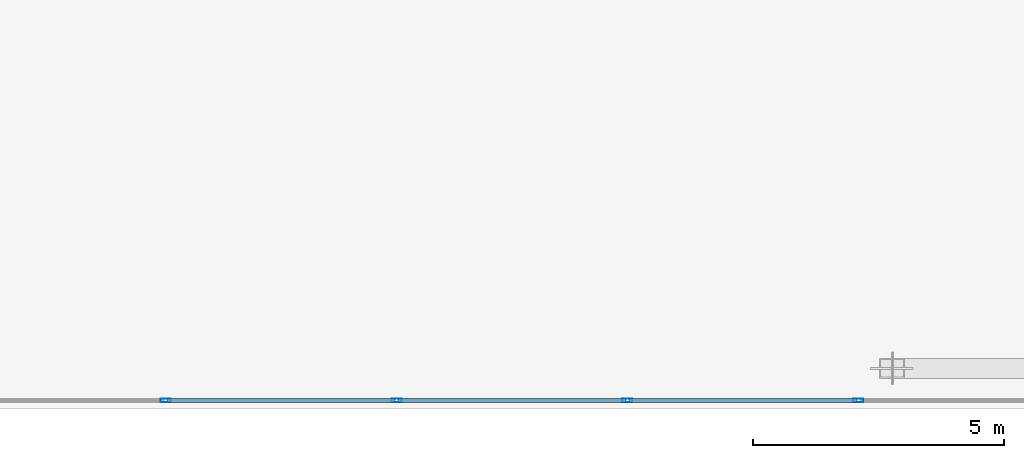
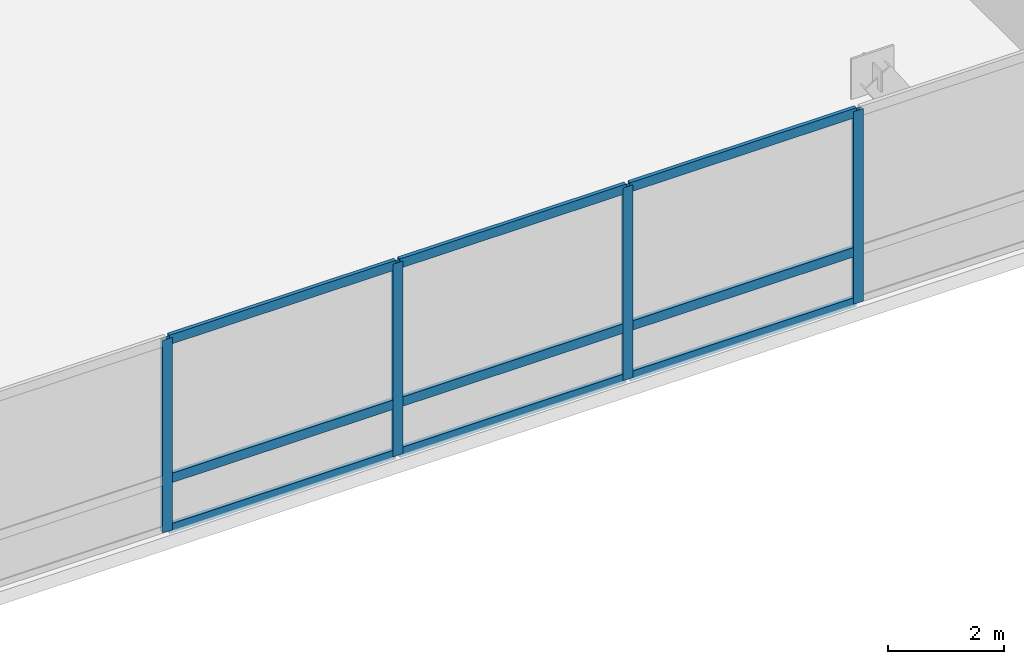
# One storey, part 12 of 40: 13 members, 1 element without a shape of its own.
"""IFC4 building model written with IfcOpenShell, lengths in metres."""

from ifc_helpers import new_model, si_unit, direction, frame, origin, origin_2d, place, context, subcontext, project, spatial, hollow_rectangle, extrude, material, layer, layer_set, material_profile, profile_set, type_object, element, aggregate, save


model = new_model("IFC4")

# Units and contexts
model_context = context("Model", 3, precision=1e-05, world=origin(), true_north=direction((0.0, 1.0)))
body_context = subcontext(model_context, "Body", "Model", "MODEL_VIEW")
ifc_project = project(units=[si_unit("LENGTHUNIT", "METRE"), si_unit("AREAUNIT", "SQUARE_METRE"), si_unit("VOLUMEUNIT", "CUBIC_METRE"), si_unit("PLANEANGLEUNIT", "RADIAN"), si_unit("MASSUNIT", "GRAM", prefix="KILO")], contexts=[model_context])

# Site, building, storey
site_placement = place(None, origin())
site = spatial("IfcSite", under=ifc_project, at=site_placement, CompositionType="ELEMENT")
building_placement = place(site_placement, origin())
building = spatial("IfcBuilding", under=site, at=building_placement, Name="Varnelok Gate Tower", CompositionType="ELEMENT")
storey_placement = place(building_placement, frame((0.0, 0.0, 5.39990234375)))
storey = spatial("IfcBuildingStorey", under=building, at=storey_placement, Name="L01", CompositionType="ELEMENT", Elevation=5.39990234375)

# Curtain wall, members
ifc_material = material(Name="Anodized Aluminum Alloy 6063-T6", Category="aluminium")
ifc_layer = layer(ifc_material, 0.179931640625)
ifc_layer_set = layer_set([ifc_layer], Name="Anodized Aluminum Alloy 6063-T6")
curtain_wall_type = type_object("IfcCurtainWallType", Name="CW1-ARCH-PORTAL", PredefinedType="USERDEFINED", material=ifc_layer_set)
curtain_wall_placement = place(storey_placement, origin())
curtain_wall = element("IfcCurtainWall", 1, at=curtain_wall_placement, inside=storey, type_object=curtain_wall_type, Name="L01 Giant Arch Portal Glazed Curtain Wall", ObjectType="UNITISED CURTAIN WALL", PredefinedType="USERDEFINED")
ifc_material_profile_1 = material_profile(ifc_material, hollow_rectangle(XDim=0.074951171875, YDim=0.199951171875, WallThickness=0.00390625, at=origin_2d()), Name="ALU200X75X4")
ifc_profile_set_1 = profile_set([ifc_material_profile_1], Name="Anodized Aluminum Alloy 6063-T6")
member_type_1 = type_object("IfcMemberType", Name="CW-MULL-200", PredefinedType="MULLION", material=ifc_profile_set_1)
member_1_placement = place(storey_placement, frame((48.39990234375, 0.159912109375, 0.0), z_axis=(0.0, 0.0, 1.0), x_axis=(0.0, -1.0, 0.0)))
member_1 = element("IfcMember", 2, at=member_1_placement, type_object=member_type_1, Name="CW1 mullion 2", PredefinedType="MULLION", context=body_context, shape_type="SweptSolid", body=[
    extrude(hollow_rectangle(XDim=0.074951171875, YDim=0.199951171875, WallThickness=0.00390625, at=origin_2d()), origin(), (0.0, 0.0, 1.0), 4.070068359375),
])
member_2_placement = place(storey_placement, frame((43.800048828125, 0.159912109375, 0.0), z_axis=(0.0, 0.0, 1.0), x_axis=(0.0, -1.0, 0.0)))
member_2 = element("IfcMember", 3, at=member_2_placement, type_object=member_type_1, Name="CW1 mullion 3", PredefinedType="MULLION", context=body_context, shape_type="SweptSolid", body=[
    extrude(hollow_rectangle(XDim=0.074951171875, YDim=0.199951171875, WallThickness=0.00390625, at=origin_2d()), origin(), (0.0, 0.0, 1.0), 4.070068359375),
])
member_3_placement = place(storey_placement, frame((39.199951171875, 0.159912109375, 0.0), z_axis=(0.0, 0.0, 1.0), x_axis=(0.0, -1.0, 0.0)))
member_3 = element("IfcMember", 4, at=member_3_placement, type_object=member_type_1, Name="CW1 mullion 4", PredefinedType="MULLION", context=body_context, shape_type="SweptSolid", body=[
    extrude(hollow_rectangle(XDim=0.074951171875, YDim=0.199951171875, WallThickness=0.00390625, at=origin_2d()), origin(), (0.0, 0.0, 1.0), 4.070068359375),
])
member_4_placement = place(storey_placement, frame((34.60009765625, 0.159912109375, 0.0), z_axis=(0.0, 0.0, 1.0), x_axis=(0.0, -1.0, 0.0)))
member_4 = element("IfcMember", 5, at=member_4_placement, type_object=member_type_1, Name="CW1 mullion 5", PredefinedType="MULLION", context=body_context, shape_type="SweptSolid", body=[
    extrude(hollow_rectangle(XDim=0.074951171875, YDim=0.199951171875, WallThickness=0.00390625, at=origin_2d()), origin(), (0.0, 0.0, 1.0), 4.070068359375),
])
ifc_material_profile_2 = material_profile(ifc_material, hollow_rectangle(XDim=0.074951171875, YDim=0.199951171875, WallThickness=0.00390625, at=origin_2d()), Name="ALU200X75X4")
ifc_profile_set_2 = profile_set([ifc_material_profile_2], Name="Anodized Aluminum Alloy 6063-T6")
member_type_2 = type_object("IfcMemberType", Name="CW-TRAN-200", PredefinedType="USERDEFINED", material=ifc_profile_set_2)
member_5_placement = place(storey_placement, frame((48.362548828125, 0.159912109375, 0.03759765625), z_axis=(-1.0, 0.0, 0.0), x_axis=(0.0, -1.0, 0.0)))
member_5 = element("IfcMember", 6, at=member_5_placement, type_object=member_type_2, Name="CW1 transom 2.1", ObjectType="TRANSOM", PredefinedType="USERDEFINED", context=body_context, shape_type="SweptSolid", body=[
    extrude(hollow_rectangle(XDim=0.074951171875, YDim=0.199951171875, WallThickness=0.00390625, at=origin_2d()), origin(), (0.0, 0.0, 1.0), 4.525146484375),
])
member_6_placement = place(storey_placement, frame((48.362548828125, 0.159912109375, 1.10009765625), z_axis=(-1.0, 0.0, 0.0), x_axis=(0.0, -1.0, 0.0)))
member_6 = element("IfcMember", 7, at=member_6_placement, type_object=member_type_2, Name="CW1 transom 2.2", ObjectType="TRANSOM", PredefinedType="USERDEFINED", context=body_context, shape_type="SweptSolid", body=[
    extrude(hollow_rectangle(XDim=0.074951171875, YDim=0.199951171875, WallThickness=0.00390625, at=origin_2d()), origin(), (0.0, 0.0, 1.0), 4.525146484375),
])
member_7_placement = place(storey_placement, frame((48.362548828125, 0.159912109375, 4.03271484375), z_axis=(-1.0, 0.0, 0.0), x_axis=(0.0, -1.0, 0.0)))
member_7 = element("IfcMember", 8, at=member_7_placement, type_object=member_type_2, Name="CW1 transom 2.3", ObjectType="TRANSOM", PredefinedType="USERDEFINED", context=body_context, shape_type="SweptSolid", body=[
    extrude(hollow_rectangle(XDim=0.074951171875, YDim=0.199951171875, WallThickness=0.00390625, at=origin_2d()), origin(), (0.0, 0.0, 1.0), 4.525146484375),
])
member_8_placement = place(storey_placement, frame((43.762451171875, 0.159912109375, 0.03759765625), z_axis=(-1.0, 0.0, 0.0), x_axis=(0.0, -1.0, 0.0)))
member_8 = element("IfcMember", 9, at=member_8_placement, type_object=member_type_2, Name="CW1 transom 3.1", ObjectType="TRANSOM", PredefinedType="USERDEFINED", context=body_context, shape_type="SweptSolid", body=[
    extrude(hollow_rectangle(XDim=0.074951171875, YDim=0.199951171875, WallThickness=0.00390625, at=origin_2d()), origin(), (0.0, 0.0, 1.0), 4.52490234375),
])
member_9_placement = place(storey_placement, frame((43.762451171875, 0.159912109375, 1.10009765625), z_axis=(-1.0, 0.0, 0.0), x_axis=(0.0, -1.0, 0.0)))
member_9 = element("IfcMember", 10, at=member_9_placement, type_object=member_type_2, Name="CW1 transom 3.2", ObjectType="TRANSOM", PredefinedType="USERDEFINED", context=body_context, shape_type="SweptSolid", body=[
    extrude(hollow_rectangle(XDim=0.074951171875, YDim=0.199951171875, WallThickness=0.00390625, at=origin_2d()), origin(), (0.0, 0.0, 1.0), 4.52490234375),
])
member_10_placement = place(storey_placement, frame((43.762451171875, 0.159912109375, 4.03271484375), z_axis=(-1.0, 0.0, 0.0), x_axis=(0.0, -1.0, 0.0)))
member_10 = element("IfcMember", 11, at=member_10_placement, type_object=member_type_2, Name="CW1 transom 3.3", ObjectType="TRANSOM", PredefinedType="USERDEFINED", context=body_context, shape_type="SweptSolid", body=[
    extrude(hollow_rectangle(XDim=0.074951171875, YDim=0.199951171875, WallThickness=0.00390625, at=origin_2d()), origin(), (0.0, 0.0, 1.0), 4.52490234375),
])
member_11_placement = place(storey_placement, frame((39.16259765625, 0.159912109375, 0.03759765625), z_axis=(-1.0, 0.0, 0.0), x_axis=(0.0, -1.0, 0.0)))
member_11 = element("IfcMember", 12, at=member_11_placement, type_object=member_type_2, Name="CW1 transom 4.1", ObjectType="TRANSOM", PredefinedType="USERDEFINED", context=body_context, shape_type="SweptSolid", body=[
    extrude(hollow_rectangle(XDim=0.074951171875, YDim=0.199951171875, WallThickness=0.00390625, at=origin_2d()), origin(), (0.0, 0.0, 1.0), 4.525146484375),
])
member_12_placement = place(storey_placement, frame((39.16259765625, 0.159912109375, 1.10009765625), z_axis=(-1.0, 0.0, 0.0), x_axis=(0.0, -1.0, 0.0)))
member_12 = element("IfcMember", 13, at=member_12_placement, type_object=member_type_2, Name="CW1 transom 4.2", ObjectType="TRANSOM", PredefinedType="USERDEFINED", context=body_context, shape_type="SweptSolid", body=[
    extrude(hollow_rectangle(XDim=0.074951171875, YDim=0.199951171875, WallThickness=0.00390625, at=origin_2d()), origin(), (0.0, 0.0, 1.0), 4.525146484375),
])
member_13_placement = place(storey_placement, frame((39.16259765625, 0.159912109375, 4.03271484375), z_axis=(-1.0, 0.0, 0.0), x_axis=(0.0, -1.0, 0.0)))
member_13 = element("IfcMember", 14, at=member_13_placement, type_object=member_type_2, Name="CW1 transom 4.3", ObjectType="TRANSOM", PredefinedType="USERDEFINED", context=body_context, shape_type="SweptSolid", body=[
    extrude(hollow_rectangle(XDim=0.074951171875, YDim=0.199951171875, WallThickness=0.00390625, at=origin_2d()), origin(), (0.0, 0.0, 1.0), 4.525146484375),
])
aggregate(curtain_wall, [member_1, member_2, member_3, member_4, member_5, member_6, member_7, member_8, member_9, member_10, member_11, member_12, member_13])

save(model, "model.ifc")
